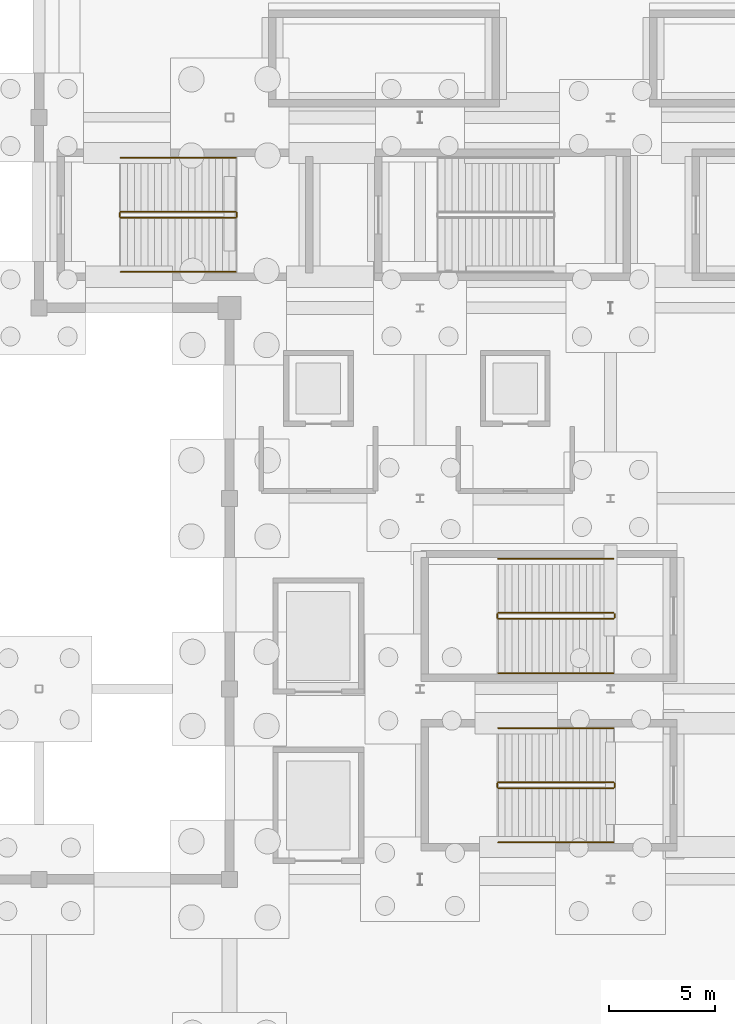
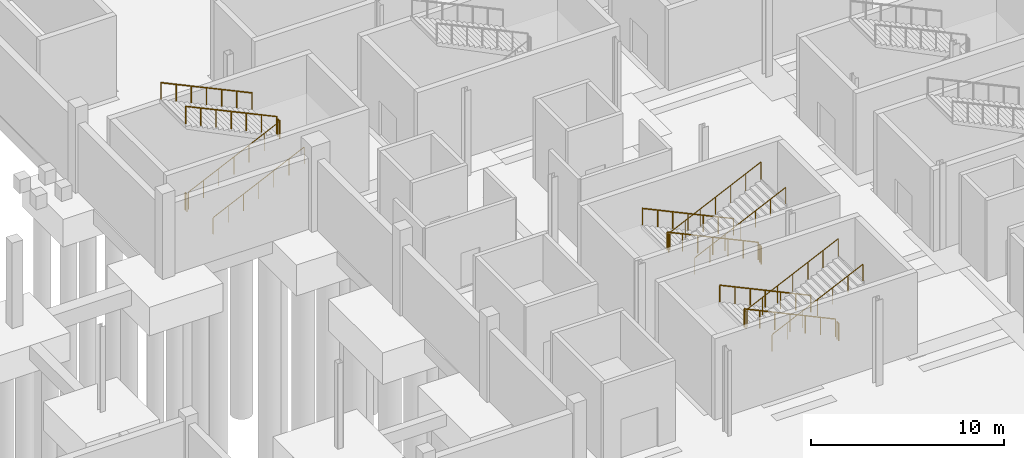
# One storey, part 54 of 58: 18 railings.
"""IFC4 building model written with IfcOpenShell, lengths in metres."""

import ifcopenshell
import ifcopenshell.guid

model = None  # the IFC model being written
_history = None  # IfcOwnerHistory: only IFC2X3 demands one
_inside = {}  # id of a spatial element -> (the spatial element, [elements in it])
_under = {}  # id of a project, library or spatial element -> (it, [spatial elements below it])
_declared = {}  # id of a project -> (the project, [libraries it declares])
_typed = {}  # id of a type object -> (the type object, [elements of that type])
_made_of = {}  # id of a material, layer set ... -> (it, [elements and type objects made of it])


def new_model(schema):
    """Start an empty IFC model of exactly this schema.

    Asked for "IFC4X3", IfcOpenShell would pick the latest addendum, in which some entities
    have other attributes; the version numbers below select the first issue.
    IFC2X3 requires an IfcOwnerHistory on every rooted entity: one is made here for all.
    """
    global model, _history
    if schema == "IFC4X3":
        model = ifcopenshell.file(schema_version=(4, 3, 0, 0))
    else:
        model = ifcopenshell.file(schema=schema)
    _inside.clear()
    _under.clear()
    _declared.clear()
    _typed.clear()
    _made_of.clear()
    _history = None
    if model.schema == "IFC2X3":
        org = make("IfcOrganization", Name="unknown")
        user = make(
            "IfcPersonAndOrganization",
            ThePerson=make("IfcPerson", FamilyName="unknown"),
            TheOrganization=org,
        )
        app = make(
            "IfcApplication",
            ApplicationDeveloper=org,
            Version="unknown",
            ApplicationFullName="unknown",
            ApplicationIdentifier="unknown",
        )
        _history = make(
            "IfcOwnerHistory",
            OwningUser=user,
            OwningApplication=app,
            ChangeAction="ADDED",
            CreationDate=0,
        )
    return model


def make(cls, **values):
    """One entity of the class cls with the attributes given. An attribute that is None is left unset."""
    return model.create_entity(
        cls, **{name: value for name, value in values.items() if value is not None}
    )


def rooted(cls, **values):
    """An entity with a GlobalId (a new one), such as an element, a storey or a relation."""
    return make(cls, GlobalId=ifcopenshell.guid.new(), OwnerHistory=_history, **values)


def si_unit(unit_type, name, prefix=None):
    """IfcSIUnit, for example si_unit("LENGTHUNIT", "METRE", prefix="MILLI")."""
    return make("IfcSIUnit", UnitType=unit_type, Prefix=prefix, Name=name)


def assignment(units):
    """IfcUnitAssignment: the units of a project."""
    return None if units is None else make("IfcUnitAssignment", Units=units)


def point(xyz):
    """IfcCartesianPoint."""
    return None if xyz is None else make("IfcCartesianPoint", Coordinates=xyz)


def direction(xyz):
    """IfcDirection."""
    return None if xyz is None else make("IfcDirection", DirectionRatios=xyz)


def frame(location, z_axis=None, x_axis=None):
    """IfcAxis2Placement3D, a coordinate frame: its origin and axes. An axis left out is left unset."""
    return make(
        "IfcAxis2Placement3D",
        Location=point(location),
        Axis=direction(z_axis),
        RefDirection=direction(x_axis),
    )


def frame_2d(location, x_axis=None):
    """IfcAxis2Placement2D, a coordinate frame in the plane: its origin and x axis."""
    return make(
        "IfcAxis2Placement2D", Location=point(location), RefDirection=direction(x_axis)
    )


def origin():
    """The frame at (0, 0, 0) with its axes left unset."""
    return frame((0.0, 0.0, 0.0))


def origin_2d():
    """The frame at (0, 0) in the plane with its x axis left unset."""
    return frame_2d((0.0, 0.0))


def place(relative_to, where):
    """IfcLocalPlacement: puts the frame where relative to a parent placement (None: the world)."""
    return make(
        "IfcLocalPlacement", PlacementRelTo=relative_to, RelativePlacement=where
    )


def context(
    kind, dimensions, precision=None, world=None, true_north=None, identifier=None
):
    """IfcGeometricRepresentationContext, for example the 3D "Model" context."""
    return make(
        "IfcGeometricRepresentationContext",
        ContextIdentifier=identifier,
        ContextType=kind,
        CoordinateSpaceDimension=dimensions,
        Precision=precision,
        WorldCoordinateSystem=world,
        TrueNorth=true_north,
    )


def subcontext(parent, identifier, kind, view, scale=None):
    """IfcGeometricRepresentationSubContext, for example "Body" below "Model"."""
    return make(
        "IfcGeometricRepresentationSubContext",
        ContextIdentifier=identifier,
        ContextType=kind,
        ParentContext=parent,
        TargetScale=scale,
        TargetView=view,
    )


def project(units=None, contexts=None):
    """IfcProject with its units and contexts."""
    return rooted(
        "IfcProject",
        Name="project",
        RepresentationContexts=contexts,
        UnitsInContext=assignment(units),
    )


def spatial(cls, under=None, at=None, **own):
    """A site, building, storey or space (cls), placed at a placement, below another one or the project."""
    s = rooted(cls, ObjectPlacement=at, **own)
    if under is not None:
        _under.setdefault(under.id(), (under, []))[1].append(s)
    return s


def profile(cls, at=None, kind="AREA", **sizes):
    """A parametric profile (cls). Its sizes go by their IFC names, for example OverallWidth=200.0."""
    return make(cls, ProfileType=kind, Position=at, **sizes)


def circle(**sizes):
    """IfcCircleProfileDef."""
    return profile("IfcCircleProfileDef", **sizes)


def extrude(swept, where, along, depth):
    """IfcExtrudedAreaSolid: the profile swept, set in the frame where, extruded along a direction by depth."""
    return make(
        "IfcExtrudedAreaSolid",
        SweptArea=swept,
        Position=where,
        ExtrudedDirection=direction(along),
        Depth=depth,
    )


def shape(context_of_items, identifier, shape_type, items):
    """IfcShapeRepresentation: the items that make up one representation, for example the "Body"."""
    return make(
        "IfcShapeRepresentation",
        ContextOfItems=context_of_items,
        RepresentationIdentifier=identifier,
        RepresentationType=shape_type,
        Items=items,
    )


def material(Name=None, Category=None):
    """IfcMaterial."""
    return make("IfcMaterial", Name=Name, Category=Category)


def made_of(thing, what):
    """Note that an element or type object is made of a material, layer set ...; save() writes the relation."""
    if what is not None:
        _made_of.setdefault(what.id(), (what, []))[1].append(thing)
    return thing


def type_object(cls, material=None, **own):
    """A type object (cls), such as IfcWallType, which elements share."""
    return made_of(rooted(cls, **own), material)


def element(
    cls,
    number,
    at=None,
    inside=None,
    cuts=None,
    type_object=None,
    material=None,
    context=None,
    identifier="Body",
    shape_type=None,
    held_by="IfcProductDefinitionShape",
    body=None,
    shapes=None,
    **own,
):
    """One element of the class cls, such as IfcWall. Its Tag is "e" and its number.

    at: its placement. inside: the storey or other place that contains it. cuts: it is an
    opening in that element (IfcRelVoidsElement). A single representation is given by context,
    identifier, shape_type and body (its items); several are given by shapes. held_by: the class
    of the entity that holds the representations. save() writes the other relations.
    """
    e = rooted(cls, Tag="e%d" % number, ObjectPlacement=at, **own)
    if body is not None:
        shapes = [shape(context, identifier, shape_type, body)]
    if shapes is not None:
        e.Representation = make(held_by, Representations=shapes)
    if inside is not None:
        _inside.setdefault(inside.id(), (inside, []))[1].append(e)
    if cuts is not None:
        rooted(
            "IfcRelVoidsElement", RelatingBuildingElement=cuts, RelatedOpeningElement=e
        )
    if type_object is not None:
        _typed.setdefault(type_object.id(), (type_object, []))[1].append(e)
    return made_of(e, material)


def aggregate(whole, parts):
    """IfcRelAggregates: a whole, such as a stair, and the parts it consists of."""
    return rooted("IfcRelAggregates", RelatingObject=whole, RelatedObjects=parts)


def save(model, path):
    """Write the relations noted so far, then the file.

    IfcRelAggregates (storeys below a building ...), IfcRelContainedInSpatialStructure (elements
    in a storey), IfcRelDefinesByType, IfcRelAssociatesMaterial and IfcRelDeclares: one each for
    every whole, place, type object, material and project.
    """
    for whole, parts in _under.values():
        aggregate(whole, parts)
    for where, things in _inside.values():
        rooted(
            "IfcRelContainedInSpatialStructure",
            RelatedElements=things,
            RelatingStructure=where,
        )
    for kind, things in _typed.values():
        rooted("IfcRelDefinesByType", RelatedObjects=things, RelatingType=kind)
    for what, things in _made_of.values():
        rooted("IfcRelAssociatesMaterial", RelatedObjects=things, RelatingMaterial=what)
    for by, libraries in _declared.values():
        rooted("IfcRelDeclares", RelatingContext=by, RelatedDefinitions=libraries)
    model.write(path)


model = new_model("IFC4")

# Units and contexts
model_context = context("Model", 3, precision=1e-05, world=origin(), true_north=direction((0.0, 1.0)))
body_context = subcontext(model_context, "Body", "Model", "MODEL_VIEW")
ifc_project = project(units=[si_unit("LENGTHUNIT", "METRE"), si_unit("AREAUNIT", "SQUARE_METRE"), si_unit("VOLUMEUNIT", "CUBIC_METRE"), si_unit("PLANEANGLEUNIT", "RADIAN"), si_unit("MASSUNIT", "GRAM", prefix="KILO")], contexts=[model_context])

# Site, building, storey
site_placement = place(None, origin())
site = spatial("IfcSite", under=ifc_project, at=site_placement, CompositionType="ELEMENT")
building_placement = place(site_placement, origin())
building = spatial("IfcBuilding", under=site, at=building_placement, Name="Qamarlyn Nura Convention Centre", CompositionType="ELEMENT")
storey_placement = place(building_placement, frame((0.0, 0.0, -5.39990234375)))
storey = spatial("IfcBuildingStorey", under=building, at=storey_placement, Name="B01", CompositionType="ELEMENT", Elevation=-5.39990234375)

# Railings
ifc_material = material(Name="Marine Grade 316 stainless steel", Category="steel")
railing_type_1 = type_object("IfcRailingType", Name="GRD-STAIR-112", PredefinedType="BALUSTRADE", material=ifc_material)
railing_1_placement = place(storey_placement, frame((171.139892578125, 58.590087890625, 0.14990234375)))
element("IfcRailing", 1, at=railing_1_placement, inside=storey, type_object=railing_type_1, Name="B01 ST-11 stair guard 1", PredefinedType="BALUSTRADE", context=body_context, shape_type="SweptSolid", body=[
    extrude(circle(Radius=0.02392578125, at=origin_2d()), frame((0.0, 0.0, 1.09619140625), z_axis=(-0.90545405566, 0.0, 0.424444287379), x_axis=(0.0, -1.0, 0.0)), (0.0, 0.0, 1.0), 6.008056640625),
    extrude(circle(Radius=0.02099609375, at=origin_2d()), origin(), (0.0, 0.0, 1.0), 1.070068359375),
    extrude(circle(Radius=0.02099609375, at=origin_2d()), frame((-0.90673828125, 0.0, 0.425048828125)), (0.0, 0.0, 1.0), 1.070068359375),
    extrude(circle(Radius=0.02099609375, at=origin_2d()), frame((-1.813232421875, 0.0, 0.85009765625)), (0.0, 0.0, 1.0), 1.070068359375),
    extrude(circle(Radius=0.02099609375, at=origin_2d()), frame((-2.719970703125, 0.0, 1.27490234375)), (0.0, 0.0, 1.0), 1.070068359375),
    extrude(circle(Radius=0.02099609375, at=origin_2d()), frame((-3.626708984375, 0.0, 1.699951171875)), (0.0, 0.0, 1.0), 1.070068359375),
    extrude(circle(Radius=0.02099609375, at=origin_2d()), frame((-4.533203125, 0.0, 2.125)), (0.0, 0.0, 1.0), 1.070068359375),
    extrude(circle(Radius=0.02099609375, at=origin_2d()), frame((-5.43994140625, 0.0, 2.550048828125)), (0.0, 0.0, 1.0), 1.070068359375),
])
railing_2_placement = place(storey_placement, frame((165.64990234375, 58.5400390625, 2.699951171875)))
element("IfcRailing", 2, at=railing_2_placement, inside=storey, type_object=railing_type_1, Name="B01 ST-11 stair guard 2", PredefinedType="BALUSTRADE", context=body_context, shape_type="SweptSolid", body=[
    extrude(circle(Radius=0.02392578125, at=origin_2d()), frame((0.0, 0.0, 1.09619140625), z_axis=(0.0, -1.0, 0.0), x_axis=(1.0, 0.0, 0.0)), (0.0, 0.0, 1.0), 0.179931640625),
    extrude(circle(Radius=0.02099609375, at=origin_2d()), origin(), (0.0, 0.0, 1.0), 1.070068359375),
    extrude(circle(Radius=0.02099609375, at=origin_2d()), frame((0.0, -0.179931640625, 0.0)), (0.0, 0.0, 1.0), 1.070068359375),
])
railing_3_placement = place(storey_placement, frame((165.699951171875, 58.31005859375, 2.849853515625)))
element("IfcRailing", 3, at=railing_3_placement, inside=storey, type_object=railing_type_1, Name="B01 ST-11 stair guard 3", PredefinedType="BALUSTRADE", context=body_context, shape_type="SweptSolid", body=[
    extrude(circle(Radius=0.02392578125, at=origin_2d()), frame((0.0, 0.0, 1.09619140625), z_axis=(0.90545405566, 0.0, 0.424444287379), x_axis=(0.0, 1.0, 0.0)), (0.0, 0.0, 1.0), 6.008056640625),
    extrude(circle(Radius=0.02099609375, at=origin_2d()), origin(), (0.0, 0.0, 1.0), 1.070068359375),
    extrude(circle(Radius=0.02099609375, at=origin_2d()), frame((0.90673828125, 0.0, 0.425048828125)), (0.0, 0.0, 1.0), 1.070068359375),
    extrude(circle(Radius=0.02099609375, at=origin_2d()), frame((1.813232421875, 0.0, 0.85009765625)), (0.0, 0.0, 1.0), 1.070068359375),
    extrude(circle(Radius=0.02099609375, at=origin_2d()), frame((2.719970703125, 0.0, 1.27490234375)), (0.0, 0.0, 1.0), 1.070068359375),
    extrude(circle(Radius=0.02099609375, at=origin_2d()), frame((3.626708984375, 0.0, 1.699951171875)), (0.0, 0.0, 1.0), 1.070068359375),
    extrude(circle(Radius=0.02099609375, at=origin_2d()), frame((4.533203125, 0.0, 2.125)), (0.0, 0.0, 1.0), 1.070068359375),
    extrude(circle(Radius=0.02099609375, at=origin_2d()), frame((5.43994140625, 0.0, 2.550048828125)), (0.0, 0.0, 1.0), 1.070068359375),
])
railing_4_placement = place(storey_placement, frame((171.18994140625, 58.5400390625, 0.0)))
element("IfcRailing", 4, at=railing_4_placement, inside=storey, type_object=railing_type_1, Name="B01 ST-11 stair guard 4", PredefinedType="BALUSTRADE", context=body_context, shape_type="SweptSolid", body=[
    extrude(circle(Radius=0.02392578125, at=origin_2d()), frame((0.0, 0.0, 1.09619140625), z_axis=(0.0, -1.0, 0.0), x_axis=(1.0, 0.0, 0.0)), (0.0, 0.0, 1.0), 0.179931640625),
    extrude(circle(Radius=0.02099609375, at=origin_2d()), origin(), (0.0, 0.0, 1.0), 1.070068359375),
    extrude(circle(Radius=0.02099609375, at=origin_2d()), frame((0.0, -0.179931640625, 0.0)), (0.0, 0.0, 1.0), 1.070068359375),
])
railing_5_placement = place(storey_placement, frame((171.139892578125, 66.590087890625, 0.14990234375)))
element("IfcRailing", 5, at=railing_5_placement, inside=storey, type_object=railing_type_1, Name="B01 ST-12 stair guard 1", PredefinedType="BALUSTRADE", context=body_context, shape_type="SweptSolid", body=[
    extrude(circle(Radius=0.02392578125, at=origin_2d()), frame((0.0, 0.0, 1.09619140625), z_axis=(-0.90545405566, 0.0, 0.424444287379), x_axis=(0.0, -1.0, 0.0)), (0.0, 0.0, 1.0), 6.008056640625),
    extrude(circle(Radius=0.02099609375, at=origin_2d()), origin(), (0.0, 0.0, 1.0), 1.070068359375),
    extrude(circle(Radius=0.02099609375, at=origin_2d()), frame((-0.90673828125, 0.0, 0.425048828125)), (0.0, 0.0, 1.0), 1.070068359375),
    extrude(circle(Radius=0.02099609375, at=origin_2d()), frame((-1.813232421875, 0.0, 0.85009765625)), (0.0, 0.0, 1.0), 1.070068359375),
    extrude(circle(Radius=0.02099609375, at=origin_2d()), frame((-2.719970703125, 0.0, 1.27490234375)), (0.0, 0.0, 1.0), 1.070068359375),
    extrude(circle(Radius=0.02099609375, at=origin_2d()), frame((-3.626708984375, 0.0, 1.699951171875)), (0.0, 0.0, 1.0), 1.070068359375),
    extrude(circle(Radius=0.02099609375, at=origin_2d()), frame((-4.533203125, 0.0, 2.125)), (0.0, 0.0, 1.0), 1.070068359375),
    extrude(circle(Radius=0.02099609375, at=origin_2d()), frame((-5.43994140625, 0.0, 2.550048828125)), (0.0, 0.0, 1.0), 1.070068359375),
])
railing_6_placement = place(storey_placement, frame((165.64990234375, 66.5400390625, 2.699951171875)))
element("IfcRailing", 6, at=railing_6_placement, inside=storey, type_object=railing_type_1, Name="B01 ST-12 stair guard 2", PredefinedType="BALUSTRADE", context=body_context, shape_type="SweptSolid", body=[
    extrude(circle(Radius=0.02392578125, at=origin_2d()), frame((0.0, 0.0, 1.09619140625), z_axis=(0.0, -1.0, 0.0), x_axis=(1.0, 0.0, 0.0)), (0.0, 0.0, 1.0), 0.179931640625),
    extrude(circle(Radius=0.02099609375, at=origin_2d()), origin(), (0.0, 0.0, 1.0), 1.070068359375),
    extrude(circle(Radius=0.02099609375, at=origin_2d()), frame((0.0, -0.179931640625, 0.0)), (0.0, 0.0, 1.0), 1.070068359375),
])
railing_7_placement = place(storey_placement, frame((165.699951171875, 66.31005859375, 2.849853515625)))
element("IfcRailing", 7, at=railing_7_placement, inside=storey, type_object=railing_type_1, Name="B01 ST-12 stair guard 3", PredefinedType="BALUSTRADE", context=body_context, shape_type="SweptSolid", body=[
    extrude(circle(Radius=0.02392578125, at=origin_2d()), frame((0.0, 0.0, 1.09619140625), z_axis=(0.90545405566, 0.0, 0.424444287379), x_axis=(0.0, 1.0, 0.0)), (0.0, 0.0, 1.0), 6.008056640625),
    extrude(circle(Radius=0.02099609375, at=origin_2d()), origin(), (0.0, 0.0, 1.0), 1.070068359375),
    extrude(circle(Radius=0.02099609375, at=origin_2d()), frame((0.90673828125, 0.0, 0.425048828125)), (0.0, 0.0, 1.0), 1.070068359375),
    extrude(circle(Radius=0.02099609375, at=origin_2d()), frame((1.813232421875, 0.0, 0.85009765625)), (0.0, 0.0, 1.0), 1.070068359375),
    extrude(circle(Radius=0.02099609375, at=origin_2d()), frame((2.719970703125, 0.0, 1.27490234375)), (0.0, 0.0, 1.0), 1.070068359375),
    extrude(circle(Radius=0.02099609375, at=origin_2d()), frame((3.626708984375, 0.0, 1.699951171875)), (0.0, 0.0, 1.0), 1.070068359375),
    extrude(circle(Radius=0.02099609375, at=origin_2d()), frame((4.533203125, 0.0, 2.125)), (0.0, 0.0, 1.0), 1.070068359375),
    extrude(circle(Radius=0.02099609375, at=origin_2d()), frame((5.43994140625, 0.0, 2.550048828125)), (0.0, 0.0, 1.0), 1.070068359375),
])
railing_8_placement = place(storey_placement, frame((171.18994140625, 66.5400390625, 0.0)))
element("IfcRailing", 8, at=railing_8_placement, inside=storey, type_object=railing_type_1, Name="B01 ST-12 stair guard 4", PredefinedType="BALUSTRADE", context=body_context, shape_type="SweptSolid", body=[
    extrude(circle(Radius=0.02392578125, at=origin_2d()), frame((0.0, 0.0, 1.09619140625), z_axis=(0.0, -1.0, 0.0), x_axis=(1.0, 0.0, 0.0)), (0.0, 0.0, 1.0), 0.179931640625),
    extrude(circle(Radius=0.02099609375, at=origin_2d()), origin(), (0.0, 0.0, 1.0), 1.070068359375),
    extrude(circle(Radius=0.02099609375, at=origin_2d()), frame((0.0, -0.179931640625, 0.0)), (0.0, 0.0, 1.0), 1.070068359375),
])
railing_9_placement = place(storey_placement, frame((147.860107421875, 85.260009765625, 0.14990234375)))
element("IfcRailing", 9, at=railing_9_placement, inside=storey, type_object=railing_type_1, Name="B01 ST-15 stair guard 1", PredefinedType="BALUSTRADE", context=body_context, shape_type="SweptSolid", body=[
    extrude(circle(Radius=0.02392578125, at=origin_2d()), frame((0.0, 0.0, 1.09619140625), z_axis=(0.90545405566, 0.0, 0.424444287379), x_axis=(0.0, 1.0, 0.0)), (0.0, 0.0, 1.0), 6.008056640625),
    extrude(circle(Radius=0.02099609375, at=origin_2d()), origin(), (0.0, 0.0, 1.0), 1.070068359375),
    extrude(circle(Radius=0.02099609375, at=origin_2d()), frame((0.90673828125, 0.0, 0.425048828125)), (0.0, 0.0, 1.0), 1.070068359375),
    extrude(circle(Radius=0.02099609375, at=origin_2d()), frame((1.813232421875, 0.0, 0.85009765625)), (0.0, 0.0, 1.0), 1.070068359375),
    extrude(circle(Radius=0.02099609375, at=origin_2d()), frame((2.719970703125, 0.0, 1.27490234375)), (0.0, 0.0, 1.0), 1.070068359375),
    extrude(circle(Radius=0.02099609375, at=origin_2d()), frame((3.626708984375, 0.0, 1.699951171875)), (0.0, 0.0, 1.0), 1.070068359375),
    extrude(circle(Radius=0.02099609375, at=origin_2d()), frame((4.533203125, 0.0, 2.125)), (0.0, 0.0, 1.0), 1.070068359375),
    extrude(circle(Radius=0.02099609375, at=origin_2d()), frame((5.43994140625, 0.0, 2.550048828125)), (0.0, 0.0, 1.0), 1.070068359375),
])
railing_10_placement = place(storey_placement, frame((153.35009765625, 85.31005859375, 2.699951171875)))
element("IfcRailing", 10, at=railing_10_placement, inside=storey, type_object=railing_type_1, Name="B01 ST-15 stair guard 2", PredefinedType="BALUSTRADE", context=body_context, shape_type="SweptSolid", body=[
    extrude(circle(Radius=0.02392578125, at=origin_2d()), frame((0.0, 0.0, 1.09619140625), z_axis=(0.0, 1.0, 0.0), x_axis=(-1.0, 0.0, 0.0)), (0.0, 0.0, 1.0), 0.179931640625),
    extrude(circle(Radius=0.02099609375, at=origin_2d()), origin(), (0.0, 0.0, 1.0), 1.070068359375),
    extrude(circle(Radius=0.02099609375, at=origin_2d()), frame((0.0, 0.179931640625, 0.0)), (0.0, 0.0, 1.0), 1.070068359375),
])
railing_11_placement = place(storey_placement, frame((153.300048828125, 85.5400390625, 2.849853515625)))
element("IfcRailing", 11, at=railing_11_placement, inside=storey, type_object=railing_type_1, Name="B01 ST-15 stair guard 3", PredefinedType="BALUSTRADE", context=body_context, shape_type="SweptSolid", body=[
    extrude(circle(Radius=0.02392578125, at=origin_2d()), frame((0.0, 0.0, 1.09619140625), z_axis=(-0.90545405566, 0.0, 0.424444287379), x_axis=(0.0, -1.0, 0.0)), (0.0, 0.0, 1.0), 6.008056640625),
    extrude(circle(Radius=0.02099609375, at=origin_2d()), origin(), (0.0, 0.0, 1.0), 1.070068359375),
    extrude(circle(Radius=0.02099609375, at=origin_2d()), frame((-0.90673828125, 0.0, 0.425048828125)), (0.0, 0.0, 1.0), 1.070068359375),
    extrude(circle(Radius=0.02099609375, at=origin_2d()), frame((-1.813232421875, 0.0, 0.85009765625)), (0.0, 0.0, 1.0), 1.070068359375),
    extrude(circle(Radius=0.02099609375, at=origin_2d()), frame((-2.719970703125, 0.0, 1.27490234375)), (0.0, 0.0, 1.0), 1.070068359375),
    extrude(circle(Radius=0.02099609375, at=origin_2d()), frame((-3.626708984375, 0.0, 1.699951171875)), (0.0, 0.0, 1.0), 1.070068359375),
    extrude(circle(Radius=0.02099609375, at=origin_2d()), frame((-4.533203125, 0.0, 2.125)), (0.0, 0.0, 1.0), 1.070068359375),
    extrude(circle(Radius=0.02099609375, at=origin_2d()), frame((-5.43994140625, 0.0, 2.550048828125)), (0.0, 0.0, 1.0), 1.070068359375),
])
railing_12_placement = place(storey_placement, frame((147.81005859375, 85.31005859375, 0.0)))
element("IfcRailing", 12, at=railing_12_placement, inside=storey, type_object=railing_type_1, Name="B01 ST-15 stair guard 4", PredefinedType="BALUSTRADE", context=body_context, shape_type="SweptSolid", body=[
    extrude(circle(Radius=0.02392578125, at=origin_2d()), frame((0.0, 0.0, 1.09619140625), z_axis=(0.0, 1.0, 0.0), x_axis=(-1.0, 0.0, 0.0)), (0.0, 0.0, 1.0), 0.179931640625),
    extrude(circle(Radius=0.02099609375, at=origin_2d()), origin(), (0.0, 0.0, 1.0), 1.070068359375),
    extrude(circle(Radius=0.02099609375, at=origin_2d()), frame((0.0, 0.179931640625, 0.0)), (0.0, 0.0, 1.0), 1.070068359375),
])
railing_type_2 = type_object("IfcRailingType", Name="HRL-STAIR-090", PredefinedType="HANDRAIL", material=ifc_material)
railing_13_placement = place(storey_placement, frame((171.139892578125, 61.14990234375, 0.30224609375)))
element("IfcRailing", 13, at=railing_13_placement, inside=storey, type_object=railing_type_2, Name="B01 ST-11 stair handrail 1", PredefinedType="HANDRAIL", context=body_context, shape_type="SweptSolid", body=[
    extrude(circle(Radius=0.02392578125, at=origin_2d()), frame((0.0, 0.0, 0.88818359375), z_axis=(-0.90545405566, 0.0, 0.424444287379), x_axis=(0.0, -1.0, 0.0)), (0.0, 0.0, 1.0), 6.008056640625),
    extrude(circle(Radius=0.02099609375, at=origin_2d()), frame((0.0, 0.0, -0.155029296875)), (0.0, 0.0, 1.0), 1.01708984375),
    extrude(circle(Radius=0.02099609375, at=origin_2d()), frame((-0.90673828125, 0.0, 0.27001953125)), (0.0, 0.0, 1.0), 1.01708984375),
    extrude(circle(Radius=0.02099609375, at=origin_2d()), frame((-1.813232421875, 0.0, 0.695068359375)), (0.0, 0.0, 1.0), 1.01708984375),
    extrude(circle(Radius=0.02099609375, at=origin_2d()), frame((-2.719970703125, 0.0, 1.1201171875)), (0.0, 0.0, 1.0), 1.01708984375),
    extrude(circle(Radius=0.02099609375, at=origin_2d()), frame((-3.626708984375, 0.0, 1.544921875)), (0.0, 0.0, 1.0), 1.01708984375),
    extrude(circle(Radius=0.02099609375, at=origin_2d()), frame((-4.533203125, 0.0, 1.969970703125)), (0.0, 0.0, 1.0), 1.01708984375),
    extrude(circle(Radius=0.02099609375, at=origin_2d()), frame((-5.43994140625, 0.0, 2.39501953125)), (0.0, 0.0, 1.0), 1.01708984375),
])
railing_14_placement = place(storey_placement, frame((165.699951171875, 55.75, 3.002197265625)))
element("IfcRailing", 14, at=railing_14_placement, inside=storey, type_object=railing_type_2, Name="B01 ST-11 stair handrail 2", PredefinedType="HANDRAIL", context=body_context, shape_type="SweptSolid", body=[
    extrude(circle(Radius=0.02392578125, at=origin_2d()), frame((0.0, 0.0, 0.88818359375), z_axis=(0.90545405566, 0.0, 0.424444287379), x_axis=(0.0, 1.0, 0.0)), (0.0, 0.0, 1.0), 6.008056640625),
    extrude(circle(Radius=0.02099609375, at=origin_2d()), frame((0.0, 0.0, -0.155029296875)), (0.0, 0.0, 1.0), 1.01708984375),
    extrude(circle(Radius=0.02099609375, at=origin_2d()), frame((0.90673828125, 0.0, 0.27001953125)), (0.0, 0.0, 1.0), 1.01708984375),
    extrude(circle(Radius=0.02099609375, at=origin_2d()), frame((1.813232421875, 0.0, 0.695068359375)), (0.0, 0.0, 1.0), 1.01708984375),
    extrude(circle(Radius=0.02099609375, at=origin_2d()), frame((2.719970703125, 0.0, 1.1201171875)), (0.0, 0.0, 1.0), 1.01708984375),
    extrude(circle(Radius=0.02099609375, at=origin_2d()), frame((3.626708984375, 0.0, 1.544921875)), (0.0, 0.0, 1.0), 1.01708984375),
    extrude(circle(Radius=0.02099609375, at=origin_2d()), frame((4.533203125, 0.0, 1.969970703125)), (0.0, 0.0, 1.0), 1.01708984375),
    extrude(circle(Radius=0.02099609375, at=origin_2d()), frame((5.43994140625, 0.0, 2.39501953125)), (0.0, 0.0, 1.0), 1.01708984375),
])
railing_15_placement = place(storey_placement, frame((171.139892578125, 69.14990234375, 0.30224609375)))
element("IfcRailing", 15, at=railing_15_placement, inside=storey, type_object=railing_type_2, Name="B01 ST-12 stair handrail 1", PredefinedType="HANDRAIL", context=body_context, shape_type="SweptSolid", body=[
    extrude(circle(Radius=0.02392578125, at=origin_2d()), frame((0.0, 0.0, 0.88818359375), z_axis=(-0.90545405566, 0.0, 0.424444287379), x_axis=(0.0, -1.0, 0.0)), (0.0, 0.0, 1.0), 6.008056640625),
    extrude(circle(Radius=0.02099609375, at=origin_2d()), frame((0.0, 0.0, -0.155029296875)), (0.0, 0.0, 1.0), 1.01708984375),
    extrude(circle(Radius=0.02099609375, at=origin_2d()), frame((-0.90673828125, 0.0, 0.27001953125)), (0.0, 0.0, 1.0), 1.01708984375),
    extrude(circle(Radius=0.02099609375, at=origin_2d()), frame((-1.813232421875, 0.0, 0.695068359375)), (0.0, 0.0, 1.0), 1.01708984375),
    extrude(circle(Radius=0.02099609375, at=origin_2d()), frame((-2.719970703125, 0.0, 1.1201171875)), (0.0, 0.0, 1.0), 1.01708984375),
    extrude(circle(Radius=0.02099609375, at=origin_2d()), frame((-3.626708984375, 0.0, 1.544921875)), (0.0, 0.0, 1.0), 1.01708984375),
    extrude(circle(Radius=0.02099609375, at=origin_2d()), frame((-4.533203125, 0.0, 1.969970703125)), (0.0, 0.0, 1.0), 1.01708984375),
    extrude(circle(Radius=0.02099609375, at=origin_2d()), frame((-5.43994140625, 0.0, 2.39501953125)), (0.0, 0.0, 1.0), 1.01708984375),
])
for number, where, name in (
    (16, (165.699951171875, 63.75, 3.002197265625), "B01 ST-12 stair handrail 2"),
    (17, (147.860107421875, 82.699951171875, 0.30224609375), "B01 ST-15 stair handrail 1"),
):
    element("IfcRailing", number, at=place(storey_placement, frame(where)), inside=storey, type_object=railing_type_2, Name=name, PredefinedType="HANDRAIL", context=body_context, shape_type="SweptSolid", body=[
        extrude(circle(Radius=0.02392578125, at=origin_2d()), frame((0.0, 0.0, 0.88818359375), z_axis=(0.90545405566, 0.0, 0.424444287379), x_axis=(0.0, 1.0, 0.0)), (0.0, 0.0, 1.0), 6.008056640625),
        extrude(circle(Radius=0.02099609375, at=origin_2d()), frame((0.0, 0.0, -0.155029296875)), (0.0, 0.0, 1.0), 1.01708984375),
        extrude(circle(Radius=0.02099609375, at=origin_2d()), frame((0.90673828125, 0.0, 0.27001953125)), (0.0, 0.0, 1.0), 1.01708984375),
        extrude(circle(Radius=0.02099609375, at=origin_2d()), frame((1.813232421875, 0.0, 0.695068359375)), (0.0, 0.0, 1.0), 1.01708984375),
        extrude(circle(Radius=0.02099609375, at=origin_2d()), frame((2.719970703125, 0.0, 1.1201171875)), (0.0, 0.0, 1.0), 1.01708984375),
        extrude(circle(Radius=0.02099609375, at=origin_2d()), frame((3.626708984375, 0.0, 1.544921875)), (0.0, 0.0, 1.0), 1.01708984375),
        extrude(circle(Radius=0.02099609375, at=origin_2d()), frame((4.533203125, 0.0, 1.969970703125)), (0.0, 0.0, 1.0), 1.01708984375),
        extrude(circle(Radius=0.02099609375, at=origin_2d()), frame((5.43994140625, 0.0, 2.39501953125)), (0.0, 0.0, 1.0), 1.01708984375),
    ])
railing_16_placement = place(storey_placement, frame((153.300048828125, 88.10009765625, 3.002197265625)))
element("IfcRailing", 18, at=railing_16_placement, inside=storey, type_object=railing_type_2, Name="B01 ST-15 stair handrail 2", PredefinedType="HANDRAIL", context=body_context, shape_type="SweptSolid", body=[
    extrude(circle(Radius=0.02392578125, at=origin_2d()), frame((0.0, 0.0, 0.88818359375), z_axis=(-0.90545405566, 0.0, 0.424444287379), x_axis=(0.0, -1.0, 0.0)), (0.0, 0.0, 1.0), 6.008056640625),
    extrude(circle(Radius=0.02099609375, at=origin_2d()), frame((0.0, 0.0, -0.155029296875)), (0.0, 0.0, 1.0), 1.01708984375),
    extrude(circle(Radius=0.02099609375, at=origin_2d()), frame((-0.90673828125, 0.0, 0.27001953125)), (0.0, 0.0, 1.0), 1.01708984375),
    extrude(circle(Radius=0.02099609375, at=origin_2d()), frame((-1.813232421875, 0.0, 0.695068359375)), (0.0, 0.0, 1.0), 1.01708984375),
    extrude(circle(Radius=0.02099609375, at=origin_2d()), frame((-2.719970703125, 0.0, 1.1201171875)), (0.0, 0.0, 1.0), 1.01708984375),
    extrude(circle(Radius=0.02099609375, at=origin_2d()), frame((-3.626708984375, 0.0, 1.544921875)), (0.0, 0.0, 1.0), 1.01708984375),
    extrude(circle(Radius=0.02099609375, at=origin_2d()), frame((-4.533203125, 0.0, 1.969970703125)), (0.0, 0.0, 1.0), 1.01708984375),
    extrude(circle(Radius=0.02099609375, at=origin_2d()), frame((-5.43994140625, 0.0, 2.39501953125)), (0.0, 0.0, 1.0), 1.01708984375),
])

save(model, "model.ifc")
